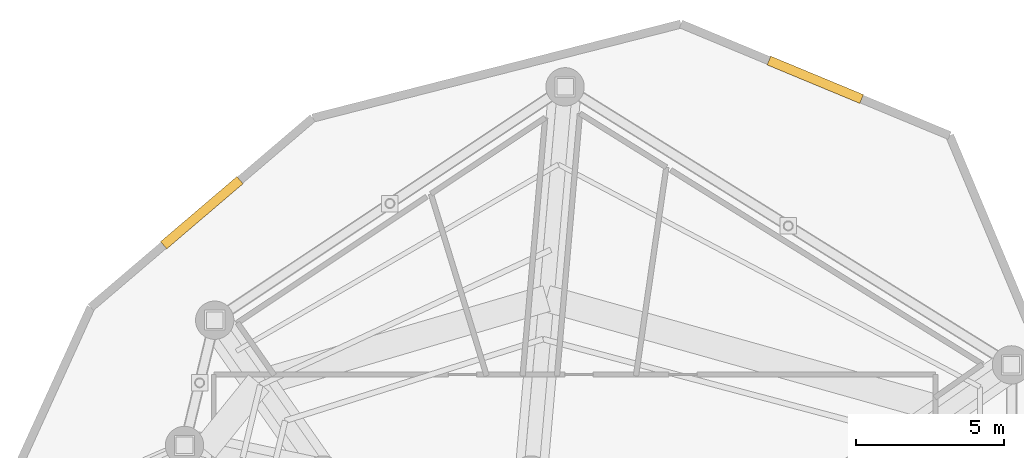
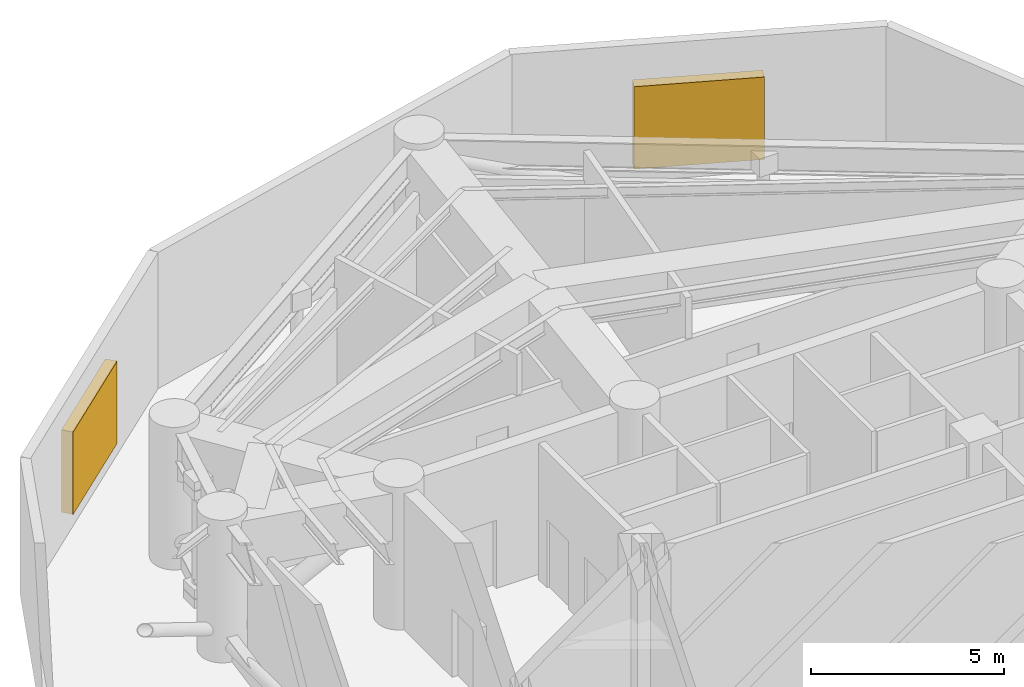
# One storey, part 11 of 11: 2 shading devices.
"""IFC4 building model written with IfcOpenShell, lengths in metres."""

from ifc_helpers import new_model, si_unit, direction, frame, origin, origin_with_axes, origin_2d, place, context, subcontext, project, spatial, rectangle, extrude, source, transform, mapped, material, layer, layer_set, type_object, element, save


model = new_model("IFC4")

# Units and contexts
model_context = context("Model", 3, precision=1e-05, world=origin(), true_north=direction((0.0, 1.0)))
body_context = subcontext(model_context, "Body", "Model", "MODEL_VIEW")
ifc_project = project(units=[si_unit("LENGTHUNIT", "METRE"), si_unit("AREAUNIT", "SQUARE_METRE"), si_unit("VOLUMEUNIT", "CUBIC_METRE"), si_unit("PLANEANGLEUNIT", "RADIAN"), si_unit("MASSUNIT", "GRAM", prefix="KILO")], contexts=[model_context])

# Site, building, storey
site_placement = place(None, origin())
site = spatial("IfcSite", under=ifc_project, at=site_placement, CompositionType="ELEMENT")
building_placement = place(site_placement, origin())
building = spatial("IfcBuilding", under=site, at=building_placement, Name="Karkom Vertical University and Central Library", CompositionType="ELEMENT")
storey_placement = place(building_placement, frame((0.0, 0.0, 208.39990234375)))
storey = spatial("IfcBuildingStorey", under=building, at=storey_placement, Name="P61", CompositionType="ELEMENT", Elevation=208.39990234375)

# Shading devices
ifc_material = material(Name="Powder-coated aluminium acoustic weather louvre", Category="aluminium")
ifc_layer = layer(ifc_material, 0.159912109375)
ifc_layer_set = layer_set([ifc_layer], Name="Powder-coated aluminium acoustic weather louvre")
shading_device_type = type_object("IfcShadingDeviceType", Name="ENV-SHD-LOUVRE", PredefinedType="JALOUSIE", material=ifc_layer_set)
shared_shape = source(origin_with_axes(), body_context, "Body", "SweptSolid", [
    extrude(rectangle(XDim=3.39990234375, YDim=0.320068359375, at=origin_2d()), origin(), (0.0, 0.0, 1.0), 2.60009765625),
])
for number, where, z_axis, x_axis, name in (
    (1, (36.177978515625, 48.088623046875, 0.400146484375), (0.0, 0.0, 1.0), (-0.923545226472, 0.383489523534, 0.0), "Plant Level 61 Mechanical Acoustic Louvre 09"),
    (2, (15.39111328125, 43.58544921875, 0.400146484375), (0.0, 0.0, 1.0), (-0.760745911553, -0.649049811691, 0.0), "Plant Level 61 Mechanical Acoustic Louvre 11"),
):
    element("IfcShadingDevice", number, at=place(storey_placement, frame(where, z_axis=z_axis, x_axis=x_axis)), inside=storey, type_object=shading_device_type, Name=name, PredefinedType="JALOUSIE", context=body_context, shape_type="MappedRepresentation", body=[
        mapped(shared_shape, transform((0.0, 0.0, 0.0), scale=1.0)),
    ])

save(model, "model.ifc")
